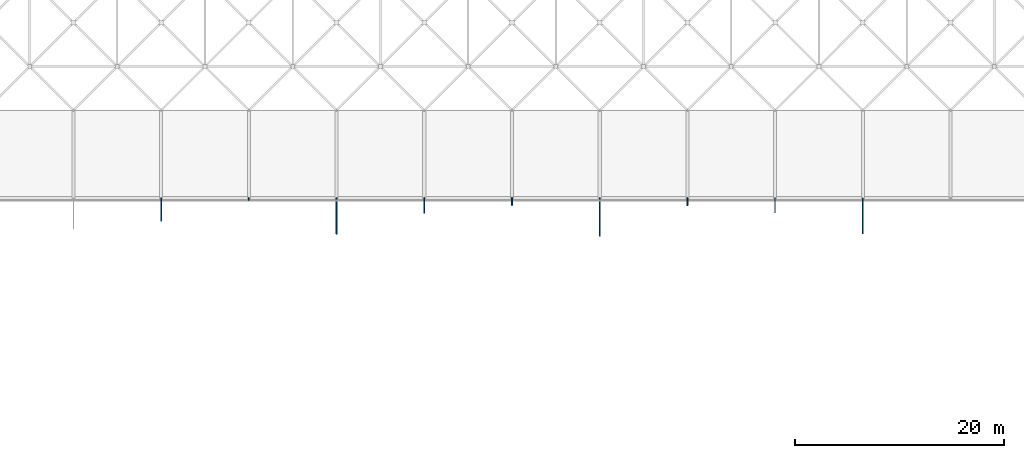
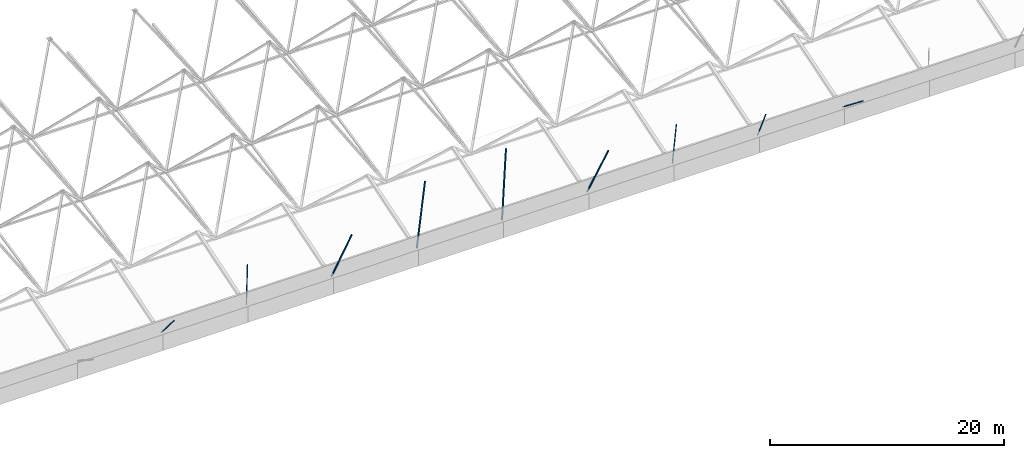
# One storey, part 46 of 85: 9 discrete accessories.
"""IFC4 building model written with IfcOpenShell, lengths in metres."""

from ifc_helpers import new_model, si_unit, direction, frame, origin, origin_2d, place, context, subcontext, project, spatial, hollow_circle, extrude, material, material_profile, profile_set, type_object, element, save


model = new_model("IFC4")

# Units and contexts
model_context = context("Model", 3, precision=1e-05, world=origin(), true_north=direction((0.0, 1.0)))
body_context = subcontext(model_context, "Body", "Model", "MODEL_VIEW")
ifc_project = project(units=[si_unit("LENGTHUNIT", "METRE"), si_unit("AREAUNIT", "SQUARE_METRE"), si_unit("VOLUMEUNIT", "CUBIC_METRE"), si_unit("PLANEANGLEUNIT", "RADIAN"), si_unit("MASSUNIT", "GRAM", prefix="KILO")], contexts=[model_context])

# Site, building, storey
site_placement = place(None, origin())
site = spatial("IfcSite", under=ifc_project, at=site_placement, CompositionType="ELEMENT")
building_placement = place(site_placement, origin())
building = spatial("IfcBuilding", under=site, at=building_placement, Name="Rain Tree Exposition and Congress Centre", CompositionType="ELEMENT")
storey_placement = place(building_placement, frame((0.0, 0.0, 15.0)))
storey = spatial("IfcBuildingStorey", under=building, at=storey_placement, Name="L03", CompositionType="ELEMENT", Elevation=15.0)

# Discrete accessories
ifc_material_1 = material(Name="Steel S355J2H", Category="steel")
ifc_material_profile_1 = material_profile(ifc_material_1, hollow_circle(Radius=0.05712890625, WallThickness=0.00439453125, at=origin_2d()), Name="CHS 114x4.5")
ifc_profile_set_1 = profile_set([ifc_material_profile_1], Name="Steel S355J2H")
discrete_accessory_type_1 = type_object("IfcDiscreteAccessoryType", Name="Roof skin post CHS 114x4.5", PredefinedType="BRACKET", material=ifc_profile_set_1)
discrete_accessory_1_placement = place(storey_placement, frame((25.199951171875, 100.800048828125, 3.0), z_axis=(0.0, -0.646746056605, 0.762705407262), x_axis=(1.0, 0.0, 0.0)))
element("IfcDiscreteAccessory", 1, at=discrete_accessory_1_placement, inside=storey, type_object=discrete_accessory_type_1, Name="Roof skin post A3", PredefinedType="BRACKET", context=body_context, shape_type="SweptSolid", body=[
    extrude(hollow_circle(Radius=0.05712890625, WallThickness=0.00439453125, at=origin_2d()), origin(), (0.0, 0.0, 1.0), 3.40234375),
])
discrete_accessory_2_placement = place(storey_placement, frame((33.60009765625, 100.800048828125, 3.0), z_axis=(0.0, -0.041434856908, 0.999141207554), x_axis=(1.0, 0.0, 0.0)))
element("IfcDiscreteAccessory", 2, at=discrete_accessory_2_placement, inside=storey, type_object=discrete_accessory_type_1, Name="Roof skin post A4", PredefinedType="BRACKET", context=body_context, shape_type="SweptSolid", body=[
    extrude(hollow_circle(Radius=0.05712890625, WallThickness=0.00439453125, at=origin_2d()), origin(), (0.0, 0.0, 1.0), 4.30712890625),
])
discrete_accessory_3_placement = place(storey_placement, frame((75.60009765625, 100.800048828125, 3.0), z_axis=(0.0, -0.15019483471, 0.98865641738), x_axis=(1.0, 0.0, 0.0)))
element("IfcDiscreteAccessory", 3, at=discrete_accessory_3_placement, inside=storey, type_object=discrete_accessory_type_1, Name="Roof skin post A9", PredefinedType="BRACKET", context=body_context, shape_type="SweptSolid", body=[
    extrude(hollow_circle(Radius=0.05712890625, WallThickness=0.00439453125, at=origin_2d()), origin(), (0.0, 0.0, 1.0), 4.512451171875),
])
discrete_accessory_4_placement = place(storey_placement, frame((84.0, 100.800048828125, 3.0), z_axis=(0.0, -0.422348999774, 0.906433297265), x_axis=(1.0, 0.0, 0.0)))
element("IfcDiscreteAccessory", 4, at=discrete_accessory_4_placement, inside=storey, type_object=discrete_accessory_type_1, Name="Roof skin post A10", PredefinedType="BRACKET", context=body_context, shape_type="SweptSolid", body=[
    extrude(hollow_circle(Radius=0.05712890625, WallThickness=0.00439453125, at=origin_2d()), origin(), (0.0, 0.0, 1.0), 3.31396484375),
])
discrete_accessory_5_placement = place(storey_placement, frame((92.39990234375, 100.800048828125, 3.0), z_axis=(0.0, -0.786312498197, 0.617828985383), x_axis=(1.0, 0.0, 0.0)))
element("IfcDiscreteAccessory", 5, at=discrete_accessory_5_placement, inside=storey, type_object=discrete_accessory_type_1, Name="Roof skin post A11", PredefinedType="BRACKET", context=body_context, shape_type="SweptSolid", body=[
    extrude(hollow_circle(Radius=0.05712890625, WallThickness=0.00439453125, at=origin_2d()), origin(), (0.0, 0.0, 1.0), 4.3515625),
])
ifc_material_2 = material(Name="Steel S355J2H", Category="steel")
ifc_material_profile_2 = material_profile(ifc_material_2, hollow_circle(Radius=0.084228515625, WallThickness=0.006103515625, at=origin_2d()), Name="CHS 168x6")
ifc_profile_set_2 = profile_set([ifc_material_profile_2], Name="Steel S355J2H")
discrete_accessory_type_2 = type_object("IfcDiscreteAccessoryType", Name="Roof skin post CHS 168x6", PredefinedType="BRACKET", material=ifc_profile_set_2)
discrete_accessory_6_placement = place(storey_placement, frame((42.0, 100.800048828125, 3.0), z_axis=(0.0, -0.473787322774, 0.880639297771), x_axis=(1.0, 0.0, 0.0)))
element("IfcDiscreteAccessory", 6, at=discrete_accessory_6_placement, inside=storey, type_object=discrete_accessory_type_2, Name="Roof skin post A5", PredefinedType="BRACKET", context=body_context, shape_type="SweptSolid", body=[
    extrude(hollow_circle(Radius=0.084228515625, WallThickness=0.006103515625, at=origin_2d()), origin(), (0.0, 0.0, 1.0), 7.221923828125),
])
discrete_accessory_7_placement = place(storey_placement, frame((50.39990234375, 100.800048828125, 3.0), z_axis=(0.0, -0.176932379522, 0.984223009829), x_axis=(1.0, 0.0, 0.0)))
element("IfcDiscreteAccessory", 7, at=discrete_accessory_7_placement, inside=storey, type_object=discrete_accessory_type_2, Name="Roof skin post A6", PredefinedType="BRACKET", context=body_context, shape_type="SweptSolid", body=[
    extrude(hollow_circle(Radius=0.084228515625, WallThickness=0.006103515625, at=origin_2d()), origin(), (0.0, 0.0, 1.0), 7.91064453125),
])
discrete_accessory_8_placement = place(storey_placement, frame((58.800048828125, 100.800048828125, 3.0), z_axis=(0.0, -0.086487107754, 0.996252969979), x_axis=(1.0, 0.0, 0.0)))
element("IfcDiscreteAccessory", 8, at=discrete_accessory_8_placement, inside=storey, type_object=discrete_accessory_type_2, Name="Roof skin post A7", PredefinedType="BRACKET", context=body_context, shape_type="SweptSolid", body=[
    extrude(hollow_circle(Radius=0.084228515625, WallThickness=0.006103515625, at=origin_2d()), origin(), (0.0, 0.0, 1.0), 7.836181640625),
])
discrete_accessory_9_placement = place(storey_placement, frame((67.199951171875, 100.800048828125, 3.0), z_axis=(0.0, -0.488774944942, 0.872409911221), x_axis=(1.0, 0.0, 0.0)))
element("IfcDiscreteAccessory", 9, at=discrete_accessory_9_placement, inside=storey, type_object=discrete_accessory_type_2, Name="Roof skin post A8", PredefinedType="BRACKET", context=body_context, shape_type="SweptSolid", body=[
    extrude(hollow_circle(Radius=0.084228515625, WallThickness=0.006103515625, at=origin_2d()), origin(), (0.0, 0.0, 1.0), 7.365478515625),
])

save(model, "model.ifc")
